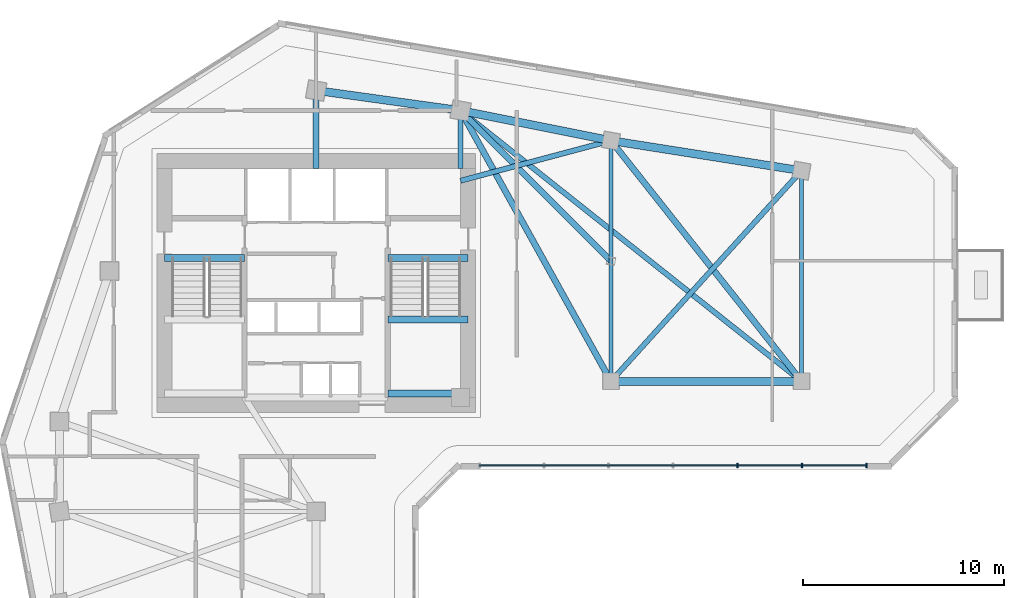
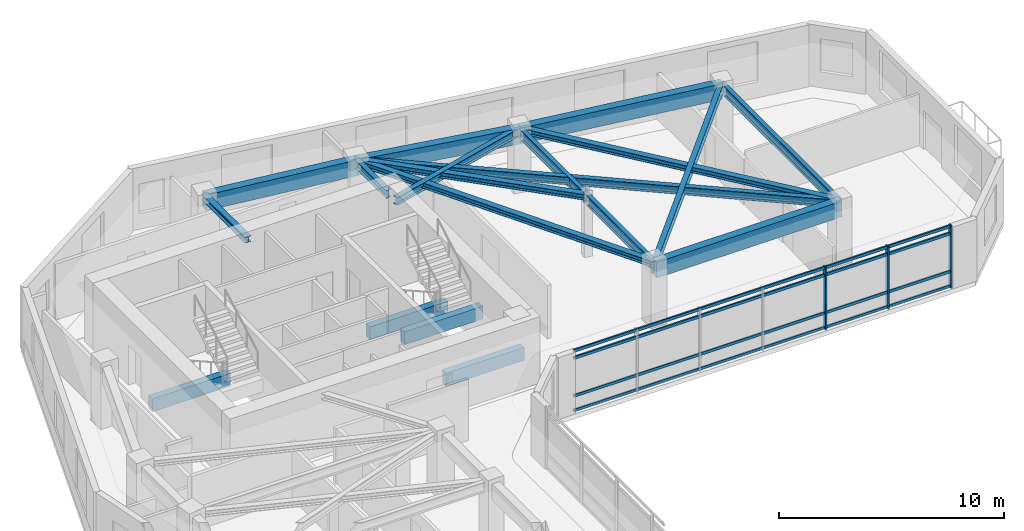
# One storey, part 3 of 13: 18 beams, 7 members, 1 element without a shape of its own.
"""IFC4 building model written with IfcOpenShell, lengths in metres."""

from ifc_helpers import new_model, si_unit, direction, frame, origin, origin_2d, place, context, subcontext, project, spatial, rectangle, i_section, extrude, source, transform, mapped, material, material_profile, profile_set, type_object, element, aggregate, save


model = new_model("IFC4")

# Units and contexts
model_context = context("Model", 3, precision=1e-05, world=origin(), true_north=direction((0.0, 1.0)))
body_context = subcontext(model_context, "Body", "Model", "MODEL_VIEW")
ifc_project = project(units=[si_unit("LENGTHUNIT", "METRE"), si_unit("AREAUNIT", "SQUARE_METRE"), si_unit("VOLUMEUNIT", "CUBIC_METRE"), si_unit("PLANEANGLEUNIT", "RADIAN"), si_unit("MASSUNIT", "GRAM", prefix="KILO")], contexts=[model_context])

# Site, building, storey
site_placement = place(None, origin())
site = spatial("IfcSite", under=ifc_project, at=site_placement, CompositionType="ELEMENT")
building_placement = place(site_placement, origin())
building = spatial("IfcBuilding", under=site, at=building_placement, Name="Calvemar Wedge Station Tower", CompositionType="ELEMENT")
storey_placement = place(building_placement, frame((0.0, 0.0, 132.199951171875)))
storey = spatial("IfcBuildingStorey", under=building, at=storey_placement, Name="L32", CompositionType="ELEMENT", Elevation=132.199951171875)

# Beams
ifc_material_1 = material(Name="Concrete C60", Category="concrete")
ifc_material_profile_1 = material_profile(ifc_material_1, rectangle(XDim=0.39990234375, YDim=0.85009765625, at=origin_2d()), Name="RC400x850")
ifc_profile_set_1 = profile_set([ifc_material_profile_1], Name="Concrete C60")
beam_type_1 = type_object("IfcBeamType", Name="BM-SP1-850", PredefinedType="SPANDREL", material=ifc_profile_set_1)
shared_shape_1 = source(origin(), body_context, "Body", "SweptSolid", [
    extrude(rectangle(XDim=0.39990234375, YDim=0.85009765625, at=origin_2d()), origin(), (0.0, 0.0, 1.0), 7.26904296875),
])
beam_1_placement = place(storey_placement, frame((23.800048828125, 49.5, 2.925048828125), z_axis=(0.990492146053, -0.13756928657, 0.0), x_axis=(0.13756928657, 0.990492146053, 0.0)))
element("IfcBeam", 1, at=beam_1_placement, inside=storey, type_object=beam_type_1, Name="Storey L32 Spandrel T-N1-T-N2", PredefinedType="SPANDREL", context=body_context, shape_type="MappedRepresentation", body=[
    mapped(shared_shape_1, transform((0.0, 0.0, 0.0), scale=1.0)),
])
shared_shape_2 = source(origin(), body_context, "Body", "SweptSolid", [
    extrude(rectangle(XDim=0.39990234375, YDim=0.85009765625, at=origin_2d()), origin(), (0.0, 0.0, 1.0), 7.6484375),
])
beam_2_placement = place(storey_placement, frame((31.0, 48.5, 2.925048828125), z_axis=(0.980580675691, -0.196116135138, 0.0), x_axis=(0.196116135138, 0.980580675691, 0.0)))
element("IfcBeam", 2, at=beam_2_placement, inside=storey, type_object=beam_type_1, Name="Storey L32 Spandrel T-N2-T-NU3", PredefinedType="SPANDREL", context=body_context, shape_type="MappedRepresentation", body=[
    mapped(shared_shape_2, transform((0.0, 0.0, 0.0), scale=1.0)),
])
shared_shape_3 = source(origin(), body_context, "Body", "SweptSolid", [
    extrude(rectangle(XDim=0.39990234375, YDim=0.85009765625, at=origin_2d()), origin(), (0.0, 0.0, 1.0), 9.61767578125),
])
beam_3_placement = place(storey_placement, frame((38.5, 47.0, 2.925048828125), z_axis=(0.987762965329, -0.155962573473, 0.0), x_axis=(0.155962573473, 0.987762965329, 0.0)))
element("IfcBeam", 3, at=beam_3_placement, inside=storey, type_object=beam_type_1, Name="Storey L32 Spandrel T-NU3-T-NU4", PredefinedType="SPANDREL", context=body_context, shape_type="MappedRepresentation", body=[
    mapped(shared_shape_3, transform((0.0, 0.0, 0.0), scale=1.0)),
])
shared_shape_4 = source(origin(), body_context, "Body", "SweptSolid", [
    extrude(rectangle(XDim=0.39990234375, YDim=0.85009765625, at=origin_2d()), origin(), (0.0, 0.0, 1.0), 9.5),
])
beam_4_placement = place(storey_placement, frame((38.5, 35.0, 2.925048828125), z_axis=(1.0, 0.0, 0.0), x_axis=(0.0, 1.0, 0.0)))
element("IfcBeam", 4, at=beam_4_placement, inside=storey, type_object=beam_type_1, Name="Storey L32 Spandrel T-NL2-T-NL3", PredefinedType="SPANDREL", context=body_context, shape_type="MappedRepresentation", body=[
    mapped(shared_shape_4, transform((0.0, 0.0, 0.0), scale=1.0)),
])
ifc_material_2 = material(Name="Structural steel ASTM A572 Grade 50", Category="steel")
ifc_material_profile_2 = material_profile(ifc_material_2, i_section(OverallWidth=0.304931640625, OverallDepth=0.30810546875, WebThickness=0.010009765625, FlangeThickness=0.015380859375, FilletRadius=0.014892578125, at=origin_2d()), Name="W310x97")
ifc_profile_set_2 = profile_set([ifc_material_profile_2], Name="Structural steel ASTM A572 Grade 50")
beam_type_2 = type_object("IfcBeamType", Name="BM-J6-W310", PredefinedType="JOIST", material=ifc_profile_set_2)
shared_shape_5 = source(origin(), body_context, "Body", "SweptSolid", [
    extrude(i_section(OverallWidth=0.304931640625, OverallDepth=0.30810546875, WebThickness=0.010009765625, FlangeThickness=0.015380859375, FilletRadius=0.014892578125, at=origin_2d()), origin(), (0.0, 0.0, 1.0), 15.443359375),
])
beam_5_placement = place(storey_placement, frame((31.0, 48.5, 3.196044921875), z_axis=(0.485642931179, -0.874157276122, 0.0), x_axis=(0.874157276122, 0.485642931179, 0.0)))
element("IfcBeam", 5, at=beam_5_placement, inside=storey, type_object=beam_type_2, Name="Storey L32 Floor Beam T-N2-T-NL2", PredefinedType="JOIST", context=body_context, shape_type="MappedRepresentation", body=[
    mapped(shared_shape_5, transform((0.0, 0.0, 0.0), scale=1.0)),
])
ifc_material_profile_3 = material_profile(ifc_material_2, i_section(OverallWidth=0.260986328125, OverallDepth=0.419921875, WebThickness=0.01171875, FlangeThickness=0.019287109375, FilletRadius=0.012939453125, at=origin_2d()), Name="W410x114")
ifc_profile_set_3 = profile_set([ifc_material_profile_3], Name="Structural steel ASTM A572 Grade 50")
beam_type_3 = type_object("IfcBeamType", Name="BM-J2-W410H", PredefinedType="JOIST", material=ifc_profile_set_3)
shared_shape_6 = source(origin(), body_context, "Body", "SweptSolid", [
    extrude(i_section(OverallWidth=0.260986328125, OverallDepth=0.419921875, WebThickness=0.01171875, FlangeThickness=0.019287109375, FilletRadius=0.012939453125, at=origin_2d()), origin(), (0.0, 0.0, 1.0), 21.708251953125),
])
beam_6_placement = place(storey_placement, frame((31.0, 48.5, 3.14013671875), z_axis=(0.783110847498, -0.621882143602, 0.0), x_axis=(0.621882143602, 0.783110847498, 0.0)))
element("IfcBeam", 6, at=beam_6_placement, inside=storey, type_object=beam_type_3, Name="Storey L32 Floor Beam T-N2-T-NL3", PredefinedType="JOIST", context=body_context, shape_type="MappedRepresentation", body=[
    mapped(shared_shape_6, transform((0.0, 0.0, 0.0), scale=1.0)),
])
shared_shape_7 = source(origin(), body_context, "Body", "SweptSolid", [
    extrude(i_section(OverallWidth=0.304931640625, OverallDepth=0.30810546875, WebThickness=0.010009765625, FlangeThickness=0.015380859375, FilletRadius=0.014892578125, at=origin_2d()), origin(), (0.0, 0.0, 1.0), 15.30517578125),
])
beam_7_placement = place(storey_placement, frame((38.5, 47.0, 3.196044921875), z_axis=(0.620702944366, -0.784045824462, 0.0), x_axis=(0.784045824462, 0.620702944366, 0.0)))
element("IfcBeam", 7, at=beam_7_placement, inside=storey, type_object=beam_type_2, Name="Storey L32 Floor Beam T-NU3-T-NL3", PredefinedType="JOIST", context=body_context, shape_type="MappedRepresentation", body=[
    mapped(shared_shape_7, transform((0.0, 0.0, 0.0), scale=1.0)),
])
shared_shape_8 = source(origin(), body_context, "Body", "SweptSolid", [
    extrude(i_section(OverallWidth=0.260986328125, OverallDepth=0.419921875, WebThickness=0.01171875, FlangeThickness=0.019287109375, FilletRadius=0.012939453125, at=origin_2d()), origin(), (0.0, 0.0, 1.0), 14.159912109375),
])
beam_8_placement = place(storey_placement, frame((38.5, 35.0, 3.14013671875), z_axis=(0.670913323969, 0.741535779124, 0.0), x_axis=(-0.741535779124, 0.670913323969, 0.0)))
element("IfcBeam", 8, at=beam_8_placement, inside=storey, type_object=beam_type_3, Name="Storey L32 Floor Beam T-NL2-T-NU4", PredefinedType="JOIST", context=body_context, shape_type="MappedRepresentation", body=[
    mapped(shared_shape_8, transform((0.0, 0.0, 0.0), scale=1.0)),
])
shared_shape_9 = source(origin(), body_context, "Body", "SweptSolid", [
    extrude(i_section(OverallWidth=0.260986328125, OverallDepth=0.419921875, WebThickness=0.01171875, FlangeThickness=0.019287109375, FilletRadius=0.012939453125, at=origin_2d()), origin(), (0.0, 0.0, 1.0), 7.76220703125),
])
beam_9_placement = place(storey_placement, frame((31.0, 45.0, 3.14013671875), z_axis=(0.966234939601, 0.25766265056, 0.0), x_axis=(-0.25766265056, 0.966234939601, 0.0)))
element("IfcBeam", 9, at=beam_9_placement, inside=storey, type_object=beam_type_3, Name="Storey L32 Core-to-Column Joist CJ-E2", PredefinedType="JOIST", context=body_context, shape_type="MappedRepresentation", body=[
    mapped(shared_shape_9, transform((0.0, 0.0, 0.0), scale=1.0)),
])
shared_shape_10 = source(origin(), body_context, "Body", "SweptSolid", [
    extrude(i_section(OverallWidth=0.304931640625, OverallDepth=0.30810546875, WebThickness=0.010009765625, FlangeThickness=0.015380859375, FilletRadius=0.014892578125, at=origin_2d()), origin(), (0.0, 0.0, 1.0), 3.89990234375),
])
beam_10_placement = place(storey_placement, frame((23.800048828125, 45.60009765625, 3.196044921875), z_axis=(0.0, 1.0, 0.0), x_axis=(-1.0, 0.0, 0.0)))
element("IfcBeam", 10, at=beam_10_placement, inside=storey, type_object=beam_type_2, Name="Storey L32 Core-to-Column Joist CJ-N1", PredefinedType="JOIST", context=body_context, shape_type="MappedRepresentation", body=[
    mapped(shared_shape_10, transform((0.0, 0.0, 0.0), scale=1.0)),
])
shared_shape_11 = source(origin(), body_context, "Body", "SweptSolid", [
    extrude(i_section(OverallWidth=0.260986328125, OverallDepth=0.419921875, WebThickness=0.01171875, FlangeThickness=0.019287109375, FilletRadius=0.012939453125, at=origin_2d()), origin(), (0.0, 0.0, 1.0), 2.89990234375),
])
beam_11_placement = place(storey_placement, frame((31.0, 45.60009765625, 3.14013671875), z_axis=(0.0, 1.0, 0.0), x_axis=(-1.0, 0.0, 0.0)))
element("IfcBeam", 11, at=beam_11_placement, inside=storey, type_object=beam_type_3, Name="Storey L32 Core-to-Column Joist CJ-N2", PredefinedType="JOIST", context=body_context, shape_type="MappedRepresentation", body=[
    mapped(shared_shape_11, transform((0.0, 0.0, 0.0), scale=1.0)),
])
ifc_material_3 = material(Name="Concrete C70", Category="concrete")
ifc_material_profile_4 = material_profile(ifc_material_3, rectangle(XDim=0.35009765625, YDim=0.699951171875, at=origin_2d()), Name="RC350x700")
ifc_profile_set_4 = profile_set([ifc_material_profile_4], Name="Concrete C70")
beam_type_4 = type_object("IfcBeamType", Name="BM-LN1-700", PredefinedType="LINTEL", material=ifc_profile_set_4)
shared_shape_12 = source(origin(), body_context, "Body", "SweptSolid", [
    extrude(rectangle(XDim=0.35009765625, YDim=0.699951171875, at=origin_2d()), origin(), (0.0, 0.0, 1.0), 4.0048828125),
])
for number, where, z_axis, x_axis, name in (
    (12, (16.22509765625, 41.14990234375, -0.349853515625), (1.0, 0.0, 0.0), (0.0, 1.0, 0.0), "Storey L32 Stair ST-C1 Landing Trimmer Beam"),
    (13, (27.3701171875, 41.14990234375, -0.349853515625), (1.0, 0.0, 0.0), (0.0, 1.0, 0.0), "Storey L32 Stair ST-C2 Landing Trimmer Beam"),
    (14, (27.3701171875, 34.3798828125, 1.25), (1.0, 0.0, 0.0), (0.0, 1.0, 0.0), "Storey L32 Stair ST-C2 Half-Landing Beam 1A"),
    (15, (27.3701171875, 38.070068359375, 1.25), (1.0, 0.0, 0.0), (0.0, 1.0, 0.0), "Storey L32 Stair ST-C2 Half-Landing Beam 1B"),
):
    element("IfcBeam", number, at=place(storey_placement, frame(where, z_axis=z_axis, x_axis=x_axis)), inside=storey, type_object=beam_type_4, Name=name, PredefinedType="LINTEL", context=body_context, shape_type="MappedRepresentation", body=[
        mapped(shared_shape_12, transform((0.0, 0.0, 0.0), scale=1.0)),
    ])
ifc_material_profile_5 = material_profile(ifc_material_2, i_section(OverallWidth=0.2109375, OverallDepth=0.5390625, WebThickness=0.01171875, FlangeThickness=0.018798828125, FilletRadius=0.012939453125, at=origin_2d()), Name="W530x109")
ifc_profile_set_5 = profile_set([ifc_material_profile_5], Name="Structural steel ASTM A572 Grade 50")
beam_type_5 = type_object("IfcBeamType", Name="BM-SB4-W530", PredefinedType="BEAM", material=ifc_profile_set_5)
shared_shape_13 = source(origin(), body_context, "Body", "SweptSolid", [
    extrude(i_section(OverallWidth=0.2109375, OverallDepth=0.5390625, WebThickness=0.01171875, FlangeThickness=0.018798828125, FilletRadius=0.012939453125, at=origin_2d()), origin(), (0.0, 0.0, 1.0), 12.0),
])
beam_12_placement = place(storey_placement, frame((38.5, 47.0, 3.08056640625), z_axis=(0.0, -1.0, 0.0), x_axis=(1.0, 0.0, 0.0)))
element("IfcBeam", 16, at=beam_12_placement, inside=storey, type_object=beam_type_5, Name="Storey L32 Floor Beam T-NU3-T-NL2", PredefinedType="BEAM", context=body_context, shape_type="MappedRepresentation", body=[
    mapped(shared_shape_13, transform((0.0, 0.0, 0.0), scale=1.0)),
])
shared_shape_14 = source(origin(), body_context, "Body", "SweptSolid", [
    extrude(i_section(OverallWidth=0.2109375, OverallDepth=0.5390625, WebThickness=0.01171875, FlangeThickness=0.018798828125, FilletRadius=0.012939453125, at=origin_2d()), origin(), (0.0, 0.0, 1.0), 10.5),
])
beam_13_placement = place(storey_placement, frame((48.0, 45.5, 3.08056640625), z_axis=(0.0, -1.0, 0.0), x_axis=(1.0, 0.0, 0.0)))
element("IfcBeam", 17, at=beam_13_placement, inside=storey, type_object=beam_type_5, Name="Storey L32 Floor Beam T-NU4-T-NL3", PredefinedType="BEAM", context=body_context, shape_type="MappedRepresentation", body=[
    mapped(shared_shape_14, transform((0.0, 0.0, 0.0), scale=1.0)),
])
shared_shape_15 = source(origin(), body_context, "Body", "SweptSolid", [
    extrude(i_section(OverallWidth=0.304931640625, OverallDepth=0.30810546875, WebThickness=0.010009765625, FlangeThickness=0.015380859375, FilletRadius=0.014892578125, at=origin_2d()), origin(), (0.0, 0.0, 1.0), 10.606689453125),
])
beam_14_placement = place(storey_placement, frame((38.5, 41.0, 3.196044921875), z_axis=(-0.707106781187, 0.707106781187, 0.0), x_axis=(-0.707106781187, -0.707106781187, 0.0)))
element("IfcBeam", 18, at=beam_14_placement, inside=storey, type_object=beam_type_2, Name="Storey L32 Floor Beam T-NTIP-B-T-N2", PredefinedType="JOIST", context=body_context, shape_type="MappedRepresentation", body=[
    mapped(shared_shape_15, transform((0.0, 0.0, 0.0), scale=1.0)),
])

# Curtain wall, members
ifc_material_4 = material(Name="Anodised aluminium 6063-T6", Category="aluminium")
curtain_wall_type = type_object("IfcCurtainWallType", Name="CW2", PredefinedType="NOTDEFINED", material=ifc_material_4)
curtain_wall_placement = place(storey_placement, origin())
curtain_wall = element("IfcCurtainWall", 19, at=curtain_wall_placement, inside=storey, type_object=curtain_wall_type, Name="Storey L32 CW2 Recessed Unitised Curtain Wall 6", PredefinedType="NOTDEFINED")
ifc_material_profile_6 = material_profile(ifc_material_4, rectangle(XDim=0.074951171875, YDim=0.14990234375, at=origin_2d()), Name="AL-TRN-75x150")
ifc_profile_set_6 = profile_set([ifc_material_profile_6], Name="Anodised aluminium 6063-T6")
member_type_1 = type_object("IfcMemberType", Name="CW2-TRN", PredefinedType="USERDEFINED", material=ifc_profile_set_6)
shared_shape_16 = source(origin(), body_context, "Body", "SweptSolid", [
    extrude(rectangle(XDim=0.074951171875, YDim=0.14990234375, at=origin_2d()), origin(), (0.0, 0.0, 1.0), 19.303955078125),
])
member_1_placement = place(storey_placement, frame((31.933837890625, 30.802001953125, 0.06005859375), z_axis=(1.0, 0.0, 0.0), x_axis=(0.0, 1.0, 0.0)))
member_1 = element("IfcMember", 20, at=member_1_placement, type_object=member_type_1, Name="CW2 transom 1", ObjectType="TRANSOM", PredefinedType="USERDEFINED", context=body_context, shape_type="MappedRepresentation", body=[
    mapped(shared_shape_16, transform((0.0, 0.0, 0.0), scale=1.0)),
])
member_2_placement = place(storey_placement, frame((31.933837890625, 30.802001953125, 0.85009765625), z_axis=(1.0, 0.0, 0.0), x_axis=(0.0, 1.0, 0.0)))
member_2 = element("IfcMember", 21, at=member_2_placement, type_object=member_type_1, Name="CW2 transom 2", ObjectType="TRANSOM", PredefinedType="USERDEFINED", context=body_context, shape_type="MappedRepresentation", body=[
    mapped(shared_shape_16, transform((0.0, 0.0, 0.0), scale=1.0)),
])
member_3_placement = place(storey_placement, frame((31.933837890625, 30.802001953125, 2.900146484375), z_axis=(1.0, 0.0, 0.0), x_axis=(0.0, 1.0, 0.0)))
member_3 = element("IfcMember", 22, at=member_3_placement, type_object=member_type_1, Name="CW2 transom 3", ObjectType="TRANSOM", PredefinedType="USERDEFINED", context=body_context, shape_type="MappedRepresentation", body=[
    mapped(shared_shape_16, transform((0.0, 0.0, 0.0), scale=1.0)),
])
member_4_placement = place(storey_placement, frame((31.933837890625, 30.802001953125, 3.2900390625), z_axis=(1.0, 0.0, 0.0), x_axis=(0.0, 1.0, 0.0)))
member_4 = element("IfcMember", 23, at=member_4_placement, type_object=member_type_1, Name="CW2 transom 4", ObjectType="TRANSOM", PredefinedType="USERDEFINED", context=body_context, shape_type="MappedRepresentation", body=[
    mapped(shared_shape_16, transform((0.0, 0.0, 0.0), scale=1.0)),
])
ifc_material_profile_7 = material_profile(ifc_material_4, rectangle(XDim=0.074951171875, YDim=0.219970703125, at=origin_2d()), Name="AL-MUL-75x220")
ifc_profile_set_7 = profile_set([ifc_material_profile_7], Name="Anodised aluminium 6063-T6")
member_type_2 = type_object("IfcMemberType", Name="CW2-MUL", PredefinedType="MULLION", material=ifc_profile_set_7)
shared_shape_17 = source(origin(), body_context, "Body", "SweptSolid", [
    extrude(rectangle(XDim=0.074951171875, YDim=0.219970703125, at=origin_2d()), origin(), (0.0, 0.0, 1.0), 3.400146484375),
])
member_5_placement = place(storey_placement, frame((44.80322265625, 30.802001953125, -0.050048828125), z_axis=(0.0, 0.0, 1.0), x_axis=(1.0, 0.0, 0.0)))
member_5 = element("IfcMember", 24, at=member_5_placement, type_object=member_type_2, Name="CW2 mullion 5", PredefinedType="MULLION", context=body_context, shape_type="MappedRepresentation", body=[
    mapped(shared_shape_17, transform((0.0, 0.0, 0.0), scale=1.0)),
])
member_6_placement = place(storey_placement, frame((48.0205078125, 30.802001953125, -0.050048828125), z_axis=(0.0, 0.0, 1.0), x_axis=(1.0, 0.0, 0.0)))
member_6 = element("IfcMember", 25, at=member_6_placement, type_object=member_type_2, Name="CW2 mullion 6", PredefinedType="MULLION", context=body_context, shape_type="MappedRepresentation", body=[
    mapped(shared_shape_17, transform((0.0, 0.0, 0.0), scale=1.0)),
])
member_7_placement = place(storey_placement, frame((51.23779296875, 30.802001953125, -0.050048828125), z_axis=(0.0, 0.0, 1.0), x_axis=(1.0, 0.0, 0.0)))
member_7 = element("IfcMember", 26, at=member_7_placement, type_object=member_type_2, Name="CW2 mullion 7", PredefinedType="MULLION", context=body_context, shape_type="MappedRepresentation", body=[
    mapped(shared_shape_17, transform((0.0, 0.0, 0.0), scale=1.0)),
])
aggregate(curtain_wall, [member_5, member_6, member_7, member_1, member_2, member_3, member_4])

save(model, "model.ifc")
